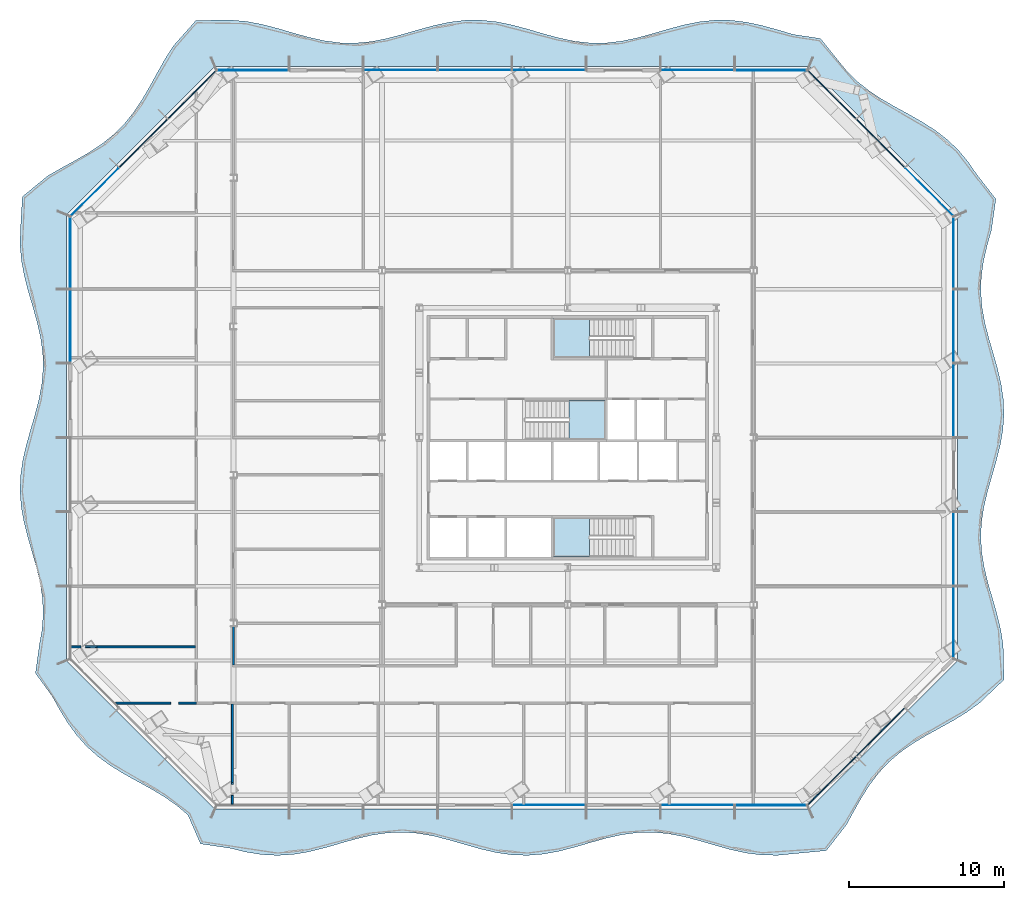
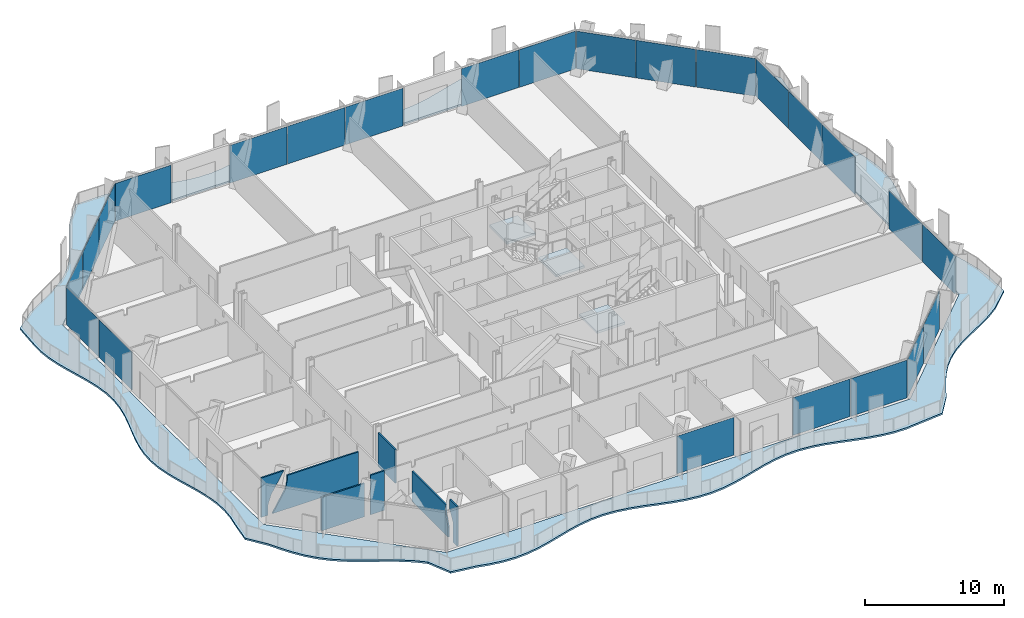
# One storey, part 5 of 20: 24 plates, 7 walls, 4 slabs, 10 elements without a shape of their own.
"""IFC4 building model written with IfcOpenShell, lengths in metres."""

from ifc_helpers import new_model, si_unit, direction, frame, frame_2d, origin, origin_2d, place, context, subcontext, project, spatial, polyline, rectangle, outline, extrude, material, layer, layer_set, type_object, element, aggregate, save


model = new_model("IFC4")

# Units and contexts
model_context = context("Model", 3, precision=1e-05, world=origin(), true_north=direction((0.0, 1.0)))
body_context = subcontext(model_context, "Body", "Model", "MODEL_VIEW")
ifc_project = project(units=[si_unit("LENGTHUNIT", "METRE"), si_unit("AREAUNIT", "SQUARE_METRE"), si_unit("VOLUMEUNIT", "CUBIC_METRE"), si_unit("PLANEANGLEUNIT", "RADIAN"), si_unit("MASSUNIT", "GRAM", prefix="KILO")], contexts=[model_context])

# Site, building, storey
site_placement = place(None, origin())
site = spatial("IfcSite", under=ifc_project, at=site_placement, CompositionType="ELEMENT")
building_placement = place(site_placement, origin())
building = spatial("IfcBuilding", under=site, at=building_placement, Name="Cairn Pilgrim Tower", CompositionType="ELEMENT")
storey_placement = place(building_placement, frame((0.0, 0.0, 101.39990234375)))
storey = spatial("IfcBuildingStorey", under=building, at=storey_placement, Name="L24", CompositionType="ELEMENT", Elevation=101.39990234375)

# Slab
ifc_material_1 = material(Name="Concrete C35/45", Category="concrete")
ifc_layer_1 = layer(ifc_material_1, 0.14990234375)
ifc_layer_set_1 = layer_set([ifc_layer_1], Name="BALCONY SLAB 150 CONCRETE C35/45")
slab_type_1 = type_object("IfcSlabType", Name="BALCONY SLAB 150 CONCRETE C35/45", PredefinedType="FLOOR", material=ifc_layer_set_1)
slab_1_placement = place(storey_placement, frame((0.0, 0.0, -0.14990234375)))
element("IfcSlab", 1, at=slab_1_placement, inside=storey, type_object=slab_type_1, Name="Balcony slab BS-1", PredefinedType="FLOOR", context=body_context, shape_type="SweptSolid", body=[
    extrude(outline(polyline([(-17.34912109375, -21.977783203125), (-16.531982421875, -23.85009765625), (-14.58935546875, -24.139892578125), (-13.578857421875, -24.384765625), (-12.568359375, -24.54638671875), (-11.557861328125, -24.599853515625), (-10.54736328125, -24.536865234375), (-9.536865234375, -24.366943359375), (-8.5263671875, -24.116943359375), (-7.515869140625, -23.8251953125), (-6.50537109375, -23.537353515625), (-5.49462890625, -23.298095703125), (-4.484130859375, -23.144775390625), (-3.4736328125, -23.100830078125), (-2.463134765625, -23.173583984375), (-1.45263671875, -23.351318359375), (-0.442138671875, -23.6064453125), (0.568359375, -23.899658203125), (1.578857421875, -24.18505859375), (2.58935546875, -24.418212890625), (3.60009765625, -24.563232421875), (4.610595703125, -24.597412109375), (5.62109375, -24.515380859375), (6.631591796875, -24.330078125), (7.64208984375, -24.06982421875), (8.652587890625, -23.775634765625), (9.6630859375, -23.492919921875), (10.673583984375, -23.265869140625), (11.684326171875, -23.12939453125), (12.69482421875, -23.10498046875), (13.705322265625, -23.1962890625), (14.7158203125, -23.389404296875), (15.726318359375, -23.65380859375), (16.73681640625, -23.948974609375), (17.747314453125, -24.228515625), (18.7578125, -24.449462890625), (19.768310546875, -24.5771484375), (20.779052734375, -24.591796875), (21.78955078125, -24.4912109375), (23.91455078125, -24.290771484375), (25.20654296875, -22.63525390625), (25.69189453125, -21.7490234375), (26.187255859375, -20.873046875), (26.72021484375, -20.034423828125), (27.312255859375, -19.2548828125), (27.976806640625, -18.54833984375), (28.71728515625, -17.917236328125), (29.525634765625, -17.354248046875), (30.38427734375, -16.841552734375), (31.268310546875, -16.354248046875), (32.149658203125, -15.864013671875), (33.0, -15.3427734375), (33.795654296875, -14.76708984375), (35.39990234375, -13.24267578125), (35.34619140625, -11.0068359375), (35.18798828125, -10.013671875), (34.948974609375, -9.020751953125), (34.6650390625, -8.027587890625), (34.37890625, -7.034423828125), (34.13330078125, -6.041259765625), (33.965576171875, -5.04833984375), (33.900390625, -4.05517578125), (33.94775390625, -3.06201171875), (34.100830078125, -2.06884765625), (34.336181640625, -1.075927734375), (34.61865234375, -0.082763671875), (34.906005859375, 0.910400390625), (35.15478515625, 1.903564453125), (35.32763671875, 2.896484375), (35.39892578125, 3.8896484375), (35.357666015625, 4.8828125), (35.210205078125, 5.8759765625), (34.978515625, 6.868896484375), (34.697509765625, 7.862060546875), (34.409423828125, 8.855224609375), (34.157470703125, 9.848388671875), (33.9794921875, 10.84130859375), (33.902099609375, 11.83447265625), (33.93701171875, 12.82763671875), (34.0791015625, 13.82080078125), (34.306884765625, 14.813720703125), (34.586181640625, 15.806884765625), (34.875244140625, 17.8251953125), (33.64111328125, 19.41259765625), (33.083984375, 20.226806640625), (32.460205078125, 20.974365234375), (31.760986328125, 21.646728515625), (30.98828125, 22.24560546875), (30.15478515625, 22.783203125), (29.28125, 23.28125), (28.394775390625, 23.76611328125), (27.524169921875, 24.26708984375), (26.696044921875, 24.810302734375), (25.930419921875, 25.416015625), (25.239013671875, 26.09619140625), (24.622802734375, 26.851318359375), (23.544677734375, 28.197998046875), (21.78955078125, 28.46435546875), (20.779052734375, 28.759765625), (19.768310546875, 29.0380859375), (18.7578125, 29.255859375), (17.747314453125, 29.379638671875), (16.73681640625, 29.389892578125), (15.726318359375, 29.285400390625), (14.7158203125, 29.08203125), (13.705322265625, 28.8115234375), (12.69482421875, 28.515869140625), (11.684326171875, 28.240966796875), (10.673583984375, 28.02978515625), (9.6630859375, 27.9150390625), (8.652587890625, 27.914306640625), (7.64208984375, 28.028076171875), (6.631591796875, 28.238525390625), (5.62109375, 28.512939453125), (4.610595703125, 28.80859375), (3.60009765625, 29.07958984375), (2.58935546875, 29.28369140625), (1.578857421875, 29.3896484375), (0.568359375, 29.38037109375), (-0.442138671875, 29.257568359375), (-1.45263671875, 29.04052734375), (-2.463134765625, 28.7626953125), (-3.4736328125, 28.46728515625), (-4.484130859375, 28.200439453125), (-5.49462890625, 28.00341796875), (-6.50537109375, 27.90673828125), (-7.515869140625, 27.92578125), (-8.5263671875, 28.05712890625), (-9.536865234375, 28.281005859375), (-10.54736328125, 28.56201171875), (-11.557861328125, 28.856689453125), (-12.568359375, 29.119140625), (-13.578857421875, 29.308837890625), (-14.58935546875, 29.396240234375), (-16.8291015625, 29.367431640625), (-18.290283203125, 27.71875), (-18.822998046875, 26.880126953125), (-19.318359375, 26.00390625), (-19.8037109375, 25.117919921875), (-20.3076171875, 24.25048828125), (-20.856201171875, 23.427734375), (-21.46923828125, 22.669189453125), (-22.156982421875, 21.985595703125), (-22.919189453125, 21.37646484375), (-23.744873046875, 20.83056640625), (-24.614013671875, 20.328369140625), (-25.50048828125, 19.84326171875), (-26.375244140625, 19.3466796875), (-28.044189453125, 17.97802734375), (-28.173583984375, 15.806884765625), (-28.1943359375, 14.813720703125), (-28.10302734375, 13.82080078125), (-27.913818359375, 12.82763671875), (-27.655029296875, 11.83447265625), (-27.365478515625, 10.84130859375), (-27.08837890625, 9.848388671875), (-26.86572265625, 8.855224609375), (-26.730712890625, 7.862060546875), (-26.703857421875, 6.868896484375), (-26.7890625, 5.8759765625), (-26.973388671875, 4.8828125), (-27.2294921875, 3.8896484375), (-27.5185546875, 2.896484375), (-27.79736328125, 1.903564453125), (-28.02392578125, 0.910400390625), (-28.164306640625, -0.082763671875), (-28.197509765625, -1.075927734375), (-28.118408203125, -2.06884765625), (-27.93896484375, -3.06201171875), (-27.68603515625, -4.05517578125), (-27.397705078125, -5.04833984375), (-27.1171875, -6.041259765625), (-26.88671875, -7.034423828125), (-26.74072265625, -8.027587890625), (-26.701416015625, -9.020751953125), (-26.7744140625, -10.013671875), (-26.94873046875, -11.0068359375), (-27.198486328125, -12.827880859375), (-26.1259765625, -14.29736328125), (-25.6357421875, -15.178466796875), (-25.114501953125, -16.02880859375), (-24.538818359375, -16.824462890625), (-23.892822265625, -17.5498046875), (-23.170654296875, -18.19921875), (-22.3779296875, -18.77783203125), (-21.52978515625, -19.301025390625), (-20.6494140625, -19.792236328125), (-19.7646484375, -20.279052734375), (-18.904296875, -20.7900390625), (-18.093017578125, -21.350341796875), (-17.34912109375, -21.977783203125)]), holes=[polyline([(22.800048828125, -21.60009765625), (-15.60009765625, -21.60009765625), (-25.199951171875, -12.0), (-25.199951171875, 16.800048828125), (-15.60009765625, 26.39990234375), (22.800048828125, 26.39990234375), (32.39990234375, 16.800048828125), (32.39990234375, -12.0), (22.800048828125, -21.60009765625)])]), origin(), (0.0, 0.0, 1.0), 0.14990234375),
])

# Curtain wall, plate
ifc_material_2 = material(Name="Aluminium alloy 6063-T6 bronze anodised with Bronze tinted laminated low-E glass 8+16+8.8", Category="aluminium")
curtain_wall_type_1 = type_object("IfcCurtainWallType", Name="CHAMFER CORNER CURTAIN WALL", PredefinedType="NOTDEFINED", material=ifc_material_2)
curtain_wall_1_placement = place(storey_placement, origin())
curtain_wall_1 = element("IfcCurtainWall", 2, at=curtain_wall_1_placement, inside=storey, type_object=curtain_wall_type_1, Name="Chamfer Corner Curtain Wall SE", PredefinedType="NOTDEFINED")
ifc_material_3 = material(Name="Bronze anodised aluminium spandrel panel with mineral wool insulation", Category="aluminium")
ifc_layer_2 = layer(ifc_material_3, 0.06005859375)
ifc_layer_set_2 = layer_set([ifc_layer_2], Name="SPANDREL PANEL 4386x3300")
plate_type_1 = type_object("IfcPlateType", Name="SPANDREL PANEL 4386x3300", PredefinedType="CURTAIN_PANEL", material=ifc_layer_set_2)
plate_1_placement = place(storey_placement, frame((24.275634765625, -19.770751953125, 0.0), z_axis=(0.0, 0.0, 1.0), x_axis=(0.707106781187, 0.707106781187, 0.0)))
plate_1 = element("IfcPlate", 3, at=plate_1_placement, type_object=plate_type_1, Name="Spandrel Panel SE1-1", PredefinedType="CURTAIN_PANEL", context=body_context, shape_type="SweptSolid", body=[
    extrude(rectangle(XDim=4.386474609375, YDim=0.06005859375, at=origin_2d()), origin(), (0.0, 0.0, 1.0), 3.300048828125),
])

curtain_wall_2_placement = place(storey_placement, origin())
curtain_wall_2 = element("IfcCurtainWall", 4, at=curtain_wall_2_placement, inside=storey, type_object=curtain_wall_type_1, Name="Chamfer Corner Curtain Wall NE", PredefinedType="NOTDEFINED")
plate_2_placement = place(storey_placement, frame((24.275634765625, 24.57080078125, 0.0), z_axis=(0.0, 0.0, 1.0), x_axis=(-0.707106781187, 0.707106781187, 0.0)))
plate_2 = element("IfcPlate", 5, at=plate_2_placement, type_object=plate_type_1, Name="Spandrel Panel NE3-1", PredefinedType="CURTAIN_PANEL", context=body_context, shape_type="SweptSolid", body=[
    extrude(rectangle(XDim=4.386474609375, YDim=0.06005859375, at=origin_2d()), origin(), (0.0, 0.0, 1.0), 3.300048828125),
])

curtain_wall_3_placement = place(storey_placement, origin())
curtain_wall_3 = element("IfcCurtainWall", 6, at=curtain_wall_3_placement, inside=storey, type_object=curtain_wall_type_1, Name="Chamfer Corner Curtain Wall NW", PredefinedType="NOTDEFINED")
plate_3_placement = place(storey_placement, frame((-17.07568359375, 24.57080078125, 0.0), z_axis=(0.0, 0.0, 1.0), x_axis=(-0.707106781187, -0.707106781187, 0.0)))
plate_3 = element("IfcPlate", 7, at=plate_3_placement, type_object=plate_type_1, Name="Spandrel Panel NW1-1", PredefinedType="CURTAIN_PANEL", context=body_context, shape_type="SweptSolid", body=[
    extrude(rectangle(XDim=4.386474609375, YDim=0.06005859375, at=origin_2d()), origin(), (0.0, 0.0, 1.0), 3.300048828125),
])

# Plate
ifc_layer_3 = layer(ifc_material_3, 0.06005859375)
ifc_layer_set_3 = layer_set([ifc_layer_3], Name="SPANDREL PANEL 4396x3300")
plate_type_2 = type_object("IfcPlateType", Name="SPANDREL PANEL 4396x3300", PredefinedType="CURTAIN_PANEL", material=ifc_layer_set_3)
plate_4_placement = place(storey_placement, frame((27.42333984375, -16.623291015625, 0.0), z_axis=(0.0, 0.0, 1.0), x_axis=(0.707106781187, 0.707106781187, 0.0)))
plate_4 = element("IfcPlate", 8, at=plate_4_placement, type_object=plate_type_2, Name="Spandrel Panel SE2-1", PredefinedType="CURTAIN_PANEL", context=body_context, shape_type="SweptSolid", body=[
    extrude(rectangle(XDim=4.396484375, YDim=0.06005859375, at=origin_2d()), origin(), (0.0, 0.0, 1.0), 3.300048828125),
])

aggregate(curtain_wall_1, [plate_1, plate_4])

plate_5_placement = place(storey_placement, frame((27.42333984375, 21.42333984375, 0.0), z_axis=(0.0, 0.0, 1.0), x_axis=(-0.707106781187, 0.707106781187, 0.0)))
plate_5 = element("IfcPlate", 9, at=plate_5_placement, type_object=plate_type_2, Name="Spandrel Panel NE2-1", PredefinedType="CURTAIN_PANEL", context=body_context, shape_type="SweptSolid", body=[
    extrude(rectangle(XDim=4.396484375, YDim=0.06005859375, at=origin_2d()), origin(), (0.0, 0.0, 1.0), 3.300048828125),
])

plate_6_placement = place(storey_placement, frame((-20.22314453125, 21.42333984375, 0.0), z_axis=(0.0, 0.0, 1.0), x_axis=(-0.707106781187, -0.707106781187, 0.0)))
plate_6 = element("IfcPlate", 10, at=plate_6_placement, type_object=plate_type_2, Name="Spandrel Panel NW2-1", PredefinedType="CURTAIN_PANEL", context=body_context, shape_type="SweptSolid", body=[
    extrude(rectangle(XDim=4.396484375, YDim=0.06005859375, at=origin_2d()), origin(), (0.0, 0.0, 1.0), 3.300048828125),
])

# Curtain wall, plate
curtain_wall_type_2 = type_object("IfcCurtainWallType", Name="TOWER STICK CURTAIN WALL NS", PredefinedType="NOTDEFINED", material=ifc_material_2)
curtain_wall_4_placement = place(storey_placement, origin())
curtain_wall_4 = element("IfcCurtainWall", 11, at=curtain_wall_4_placement, inside=storey, type_object=curtain_wall_type_2, Name="Tower Stick Curtain Wall Ns S", PredefinedType="NOTDEFINED")
ifc_layer_4 = layer(ifc_material_3, 0.06005859375)
ifc_layer_set_4 = layer_set([ifc_layer_4], Name="SPANDREL PANEL 4626x3300")
plate_type_3 = type_object("IfcPlateType", Name="SPANDREL PANEL 4626x3300", PredefinedType="CURTAIN_PANEL", material=ifc_layer_set_4)
plate_7_placement = place(storey_placement, frame((20.34326171875, -21.35009765625, 0.0), z_axis=(0.0, 0.0, 1.0), x_axis=(1.0, 0.0, 0.0)))
plate_7 = element("IfcPlate", 12, at=plate_7_placement, type_object=plate_type_3, Name="Spandrel Panel S8-1", PredefinedType="CURTAIN_PANEL", context=body_context, shape_type="SweptSolid", body=[
    extrude(rectangle(XDim=4.62646484375, YDim=0.06005859375, at=origin_2d()), origin(), (0.0, 0.0, 1.0), 3.300048828125),
])

# Curtain wall, plates
curtain_wall_5_placement = place(storey_placement, origin())
curtain_wall_5 = element("IfcCurtainWall", 13, at=curtain_wall_5_placement, inside=storey, type_object=curtain_wall_type_2, Name="Tower Stick Curtain Wall Ns N", PredefinedType="NOTDEFINED")
plate_8_placement = place(storey_placement, frame((20.34326171875, 26.14990234375, 0.0), z_axis=(0.0, 0.0, 1.0), x_axis=(-1.0, 0.0, 0.0)))
plate_8 = element("IfcPlate", 14, at=plate_8_placement, type_object=plate_type_3, Name="Spandrel Panel N1-1", PredefinedType="CURTAIN_PANEL", context=body_context, shape_type="SweptSolid", body=[
    extrude(rectangle(XDim=4.62646484375, YDim=0.06005859375, at=origin_2d()), origin(), (0.0, 0.0, 1.0), 3.300048828125),
])
plate_9_placement = place(storey_placement, frame((-13.143310546875, 26.14990234375, 0.0), z_axis=(0.0, 0.0, 1.0), x_axis=(-1.0, 0.0, 0.0)))
plate_9 = element("IfcPlate", 15, at=plate_9_placement, type_object=plate_type_3, Name="Spandrel Panel N8-1", PredefinedType="CURTAIN_PANEL", context=body_context, shape_type="SweptSolid", body=[
    extrude(rectangle(XDim=4.62646484375, YDim=0.06005859375, at=origin_2d()), origin(), (0.0, 0.0, 1.0), 3.300048828125),
])

# Stair, slab
ifc_material_4 = material(Name="Concrete C32/40", Category="concrete")
stair_type = type_object("IfcStairType", Name="EXIT STAIR 1200", PredefinedType="HALF_TURN_STAIR", material=ifc_material_4)
stair_1_placement = place(storey_placement, origin())
stair_1 = element("IfcStair", 16, at=stair_1_placement, inside=storey, type_object=stair_type, Name="L24 Exit Stair A", PredefinedType="HALF_TURN_STAIR")
ifc_layer_5 = layer(ifc_material_4, 0.199951171875)
ifc_layer_set_5 = layer_set([ifc_layer_5], Name="STAIR LANDING 200")
slab_type_2 = type_object("IfcSlabType", Name="STAIR LANDING 200", PredefinedType="LANDING", material=ifc_layer_set_5)
slab_2_placement = place(storey_placement, frame((0.0, 0.0, 1.60009765625)))
slab_2 = element("IfcSlab", 17, at=slab_2_placement, type_object=slab_type_2, Name="ST-A landing 1", PredefinedType="LANDING", context=body_context, shape_type="SweptSolid", body=[
    extrude(outline(polyline([(8.625, -2.77490234375), (6.27490234375, -2.77490234375), (6.27490234375, -5.300048828125), (8.625, -5.300048828125), (8.625, -2.77490234375)])), origin(), (0.0, 0.0, 1.0), 0.199951171875),
])
aggregate(stair_1, [slab_2])

stair_2_placement = place(storey_placement, origin())
stair_2 = element("IfcStair", 18, at=stair_2_placement, inside=storey, type_object=stair_type, Name="L24 Exit Stair B", PredefinedType="HALF_TURN_STAIR")
slab_3_placement = place(storey_placement, frame((0.0, 0.0, 1.60009765625)))
slab_3 = element("IfcSlab", 19, at=slab_3_placement, type_object=slab_type_2, Name="ST-B landing 1", PredefinedType="LANDING", context=body_context, shape_type="SweptSolid", body=[
    extrude(outline(polyline([(7.27490234375, 2.27490234375), (9.625, 2.27490234375), (9.625, 4.824951171875), (7.27490234375, 4.824951171875), (7.27490234375, 2.27490234375)])), origin(), (0.0, 0.0, 1.0), 0.199951171875),
])
aggregate(stair_2, [slab_3])

stair_3_placement = place(storey_placement, origin())
stair_3 = element("IfcStair", 20, at=stair_3_placement, inside=storey, type_object=stair_type, Name="L24 Exit Stair C", PredefinedType="HALF_TURN_STAIR")
slab_4_placement = place(storey_placement, frame((0.0, 0.0, 1.60009765625)))
slab_4 = element("IfcSlab", 21, at=slab_4_placement, type_object=slab_type_2, Name="ST-C landing 1", PredefinedType="LANDING", context=body_context, shape_type="SweptSolid", body=[
    extrude(outline(polyline([(8.625, 10.10009765625), (6.27490234375, 10.10009765625), (6.27490234375, 7.574951171875), (8.625, 7.574951171875), (8.625, 10.10009765625)])), origin(), (0.0, 0.0, 1.0), 0.199951171875),
])
aggregate(stair_3, [slab_4])

# Plate
ifc_material_5 = material(Name="Bronze tinted laminated low-E glass 8+16+8.8", Category="glass")
ifc_layer_6 = layer(ifc_material_5, 0.033935546875)
ifc_layer_set_6 = layer_set([ifc_layer_6], Name="VISION GLAZING 4386x3300")
plate_type_4 = type_object("IfcPlateType", Name="VISION GLAZING 4386x3300", PredefinedType="CURTAIN_PANEL", material=ifc_layer_set_6)
plate_10_placement = place(storey_placement, frame((30.57080078125, 18.275634765625, 0.0), z_axis=(0.0, 0.0, 1.0), x_axis=(-0.707106781187, 0.707106781187, 0.0)))
plate_10 = element("IfcPlate", 22, at=plate_10_placement, type_object=plate_type_4, Name="Vision Glazing NE1-1", PredefinedType="CURTAIN_PANEL", context=body_context, shape_type="SweptSolid", body=[
    extrude(rectangle(XDim=4.386474609375, YDim=0.033935546875, at=origin_2d()), origin(), (0.0, 0.0, 1.0), 3.300048828125),
])

aggregate(curtain_wall_2, [plate_10, plate_5, plate_2])

plate_11_placement = place(storey_placement, frame((-23.370849609375, 18.275634765625, 0.0), z_axis=(0.0, 0.0, 1.0), x_axis=(-0.707106781187, -0.707106781187, 0.0)))
plate_11 = element("IfcPlate", 23, at=plate_11_placement, type_object=plate_type_4, Name="Vision Glazing NW3-1", PredefinedType="CURTAIN_PANEL", context=body_context, shape_type="SweptSolid", body=[
    extrude(rectangle(XDim=4.386474609375, YDim=0.033935546875, at=origin_2d()), origin(), (0.0, 0.0, 1.0), 3.300048828125),
])

aggregate(curtain_wall_3, [plate_3, plate_6, plate_11])

# Curtain wall, plates
curtain_wall_type_3 = type_object("IfcCurtainWallType", Name="TOWER STICK CURTAIN WALL EW", PredefinedType="NOTDEFINED", material=ifc_material_2)
curtain_wall_6_placement = place(storey_placement, origin())
curtain_wall_6 = element("IfcCurtainWall", 24, at=curtain_wall_6_placement, inside=storey, type_object=curtain_wall_type_3, Name="Tower Stick Curtain Wall Ew E", PredefinedType="NOTDEFINED")
ifc_layer_7 = layer(ifc_material_5, 0.033935546875)
ifc_layer_set_7 = layer_set([ifc_layer_7], Name="VISION GLAZING 4626x3300")
plate_type_5 = type_object("IfcPlateType", Name="VISION GLAZING 4626x3300", PredefinedType="CURTAIN_PANEL", material=ifc_layer_set_7)
plate_12_placement = place(storey_placement, frame((32.14990234375, -9.543212890625, 0.0), z_axis=(0.0, 0.0, 1.0), x_axis=(0.0, 1.0, 0.0)))
plate_12 = element("IfcPlate", 25, at=plate_12_placement, type_object=plate_type_5, Name="Vision Glazing E1-1", PredefinedType="CURTAIN_PANEL", context=body_context, shape_type="SweptSolid", body=[
    extrude(rectangle(XDim=4.62646484375, YDim=0.033935546875, at=origin_2d()), origin(), (0.0, 0.0, 1.0), 3.300048828125),
])
plate_13_placement = place(storey_placement, frame((32.14990234375, 14.34326171875, 0.0), z_axis=(0.0, 0.0, 1.0), x_axis=(0.0, 1.0, 0.0)))
plate_13 = element("IfcPlate", 26, at=plate_13_placement, type_object=plate_type_5, Name="Vision Glazing E6-1", PredefinedType="CURTAIN_PANEL", context=body_context, shape_type="SweptSolid", body=[
    extrude(rectangle(XDim=4.62646484375, YDim=0.033935546875, at=origin_2d()), origin(), (0.0, 0.0, 1.0), 3.300048828125),
])

# Curtain wall, plate
curtain_wall_7_placement = place(storey_placement, origin())
curtain_wall_7 = element("IfcCurtainWall", 27, at=curtain_wall_7_placement, inside=storey, type_object=curtain_wall_type_3, Name="Tower Stick Curtain Wall Ew W", PredefinedType="NOTDEFINED")
plate_14_placement = place(storey_placement, frame((-24.949951171875, 14.34326171875, 0.0), z_axis=(0.0, 0.0, 1.0), x_axis=(0.0, -1.0, 0.0)))
plate_14 = element("IfcPlate", 28, at=plate_14_placement, type_object=plate_type_5, Name="Vision Glazing W1-1", PredefinedType="CURTAIN_PANEL", context=body_context, shape_type="SweptSolid", body=[
    extrude(rectangle(XDim=4.62646484375, YDim=0.033935546875, at=origin_2d()), origin(), (0.0, 0.0, 1.0), 3.300048828125),
])

# Plate
ifc_layer_8 = layer(ifc_material_5, 0.033935546875)
ifc_layer_set_8 = layer_set([ifc_layer_8], Name="VISION GLAZING 4740x3300")
plate_type_6 = type_object("IfcPlateType", Name="VISION GLAZING 4740x3300", PredefinedType="CURTAIN_PANEL", material=ifc_layer_set_8)
plate_15_placement = place(storey_placement, frame((6.0, -21.35009765625, 0.0), z_axis=(0.0, 0.0, 1.0), x_axis=(1.0, 0.0, 0.0)))
plate_15 = element("IfcPlate", 29, at=plate_15_placement, type_object=plate_type_6, Name="Vision Glazing S5-1", PredefinedType="CURTAIN_PANEL", context=body_context, shape_type="SweptSolid", body=[
    extrude(rectangle(XDim=4.739990234375, YDim=0.033935546875, at=origin_2d()), origin(), (0.0, 0.0, 1.0), 3.300048828125),
])

plate_16_placement = place(storey_placement, frame((15.60009765625, -21.35009765625, 0.0), z_axis=(0.0, 0.0, 1.0), x_axis=(1.0, 0.0, 0.0)))
plate_16 = element("IfcPlate", 30, at=plate_16_placement, type_object=plate_type_6, Name="Vision Glazing S7-1", PredefinedType="CURTAIN_PANEL", context=body_context, shape_type="SweptSolid", body=[
    extrude(rectangle(XDim=4.739990234375, YDim=0.033935546875, at=origin_2d()), origin(), (0.0, 0.0, 1.0), 3.300048828125),
])

aggregate(curtain_wall_4, [plate_15, plate_16, plate_7])

plate_17_placement = place(storey_placement, frame((32.14990234375, -4.800048828125, 0.0), z_axis=(0.0, 0.0, 1.0), x_axis=(0.0, 1.0, 0.0)))
plate_17 = element("IfcPlate", 31, at=plate_17_placement, type_object=plate_type_6, Name="Vision Glazing E2-1", PredefinedType="CURTAIN_PANEL", context=body_context, shape_type="SweptSolid", body=[
    extrude(rectangle(XDim=4.739990234375, YDim=0.033935546875, at=origin_2d()), origin(), (0.0, 0.0, 1.0), 3.300048828125),
])

plate_18_placement = place(storey_placement, frame((32.14990234375, 4.800048828125, 0.0), z_axis=(0.0, 0.0, 1.0), x_axis=(0.0, 1.0, 0.0)))
plate_18 = element("IfcPlate", 32, at=plate_18_placement, type_object=plate_type_6, Name="Vision Glazing E4-1", PredefinedType="CURTAIN_PANEL", context=body_context, shape_type="SweptSolid", body=[
    extrude(rectangle(XDim=4.739990234375, YDim=0.033935546875, at=origin_2d()), origin(), (0.0, 0.0, 1.0), 3.300048828125),
])

plate_19_placement = place(storey_placement, frame((32.14990234375, 9.60009765625, 0.0), z_axis=(0.0, 0.0, 1.0), x_axis=(0.0, 1.0, 0.0)))
plate_19 = element("IfcPlate", 33, at=plate_19_placement, type_object=plate_type_6, Name="Vision Glazing E5-1", PredefinedType="CURTAIN_PANEL", context=body_context, shape_type="SweptSolid", body=[
    extrude(rectangle(XDim=4.739990234375, YDim=0.033935546875, at=origin_2d()), origin(), (0.0, 0.0, 1.0), 3.300048828125),
])

aggregate(curtain_wall_6, [plate_12, plate_17, plate_18, plate_19, plate_13])

plate_20_placement = place(storey_placement, frame((15.60009765625, 26.14990234375, 0.0), z_axis=(0.0, 0.0, 1.0), x_axis=(-1.0, 0.0, 0.0)))
plate_20 = element("IfcPlate", 34, at=plate_20_placement, type_object=plate_type_6, Name="Vision Glazing N2-1", PredefinedType="CURTAIN_PANEL", context=body_context, shape_type="SweptSolid", body=[
    extrude(rectangle(XDim=4.739990234375, YDim=0.033935546875, at=origin_2d()), origin(), (0.0, 0.0, 1.0), 3.300048828125),
])

plate_21_placement = place(storey_placement, frame((6.0, 26.14990234375, 0.0), z_axis=(0.0, 0.0, 1.0), x_axis=(-1.0, 0.0, 0.0)))
plate_21 = element("IfcPlate", 35, at=plate_21_placement, type_object=plate_type_6, Name="Vision Glazing N4-1", PredefinedType="CURTAIN_PANEL", context=body_context, shape_type="SweptSolid", body=[
    extrude(rectangle(XDim=4.739990234375, YDim=0.033935546875, at=origin_2d()), origin(), (0.0, 0.0, 1.0), 3.300048828125),
])

plate_22_placement = place(storey_placement, frame((1.199951171875, 26.14990234375, 0.0), z_axis=(0.0, 0.0, 1.0), x_axis=(-1.0, 0.0, 0.0)))
plate_22 = element("IfcPlate", 36, at=plate_22_placement, type_object=plate_type_6, Name="Vision Glazing N5-1", PredefinedType="CURTAIN_PANEL", context=body_context, shape_type="SweptSolid", body=[
    extrude(rectangle(XDim=4.739990234375, YDim=0.033935546875, at=origin_2d()), origin(), (0.0, 0.0, 1.0), 3.300048828125),
])

plate_23_placement = place(storey_placement, frame((-3.60009765625, 26.14990234375, 0.0), z_axis=(0.0, 0.0, 1.0), x_axis=(-1.0, 0.0, 0.0)))
plate_23 = element("IfcPlate", 37, at=plate_23_placement, type_object=plate_type_6, Name="Vision Glazing N6-1", PredefinedType="CURTAIN_PANEL", context=body_context, shape_type="SweptSolid", body=[
    extrude(rectangle(XDim=4.739990234375, YDim=0.033935546875, at=origin_2d()), origin(), (0.0, 0.0, 1.0), 3.300048828125),
])

aggregate(curtain_wall_5, [plate_8, plate_20, plate_21, plate_22, plate_23, plate_9])

plate_24_placement = place(storey_placement, frame((-24.949951171875, 9.60009765625, 0.0), z_axis=(0.0, 0.0, 1.0), x_axis=(0.0, -1.0, 0.0)))
plate_24 = element("IfcPlate", 38, at=plate_24_placement, type_object=plate_type_6, Name="Vision Glazing W2-1", PredefinedType="CURTAIN_PANEL", context=body_context, shape_type="SweptSolid", body=[
    extrude(rectangle(XDim=4.739990234375, YDim=0.033935546875, at=origin_2d()), origin(), (0.0, 0.0, 1.0), 3.300048828125),
])

aggregate(curtain_wall_7, [plate_14, plate_24])

# Walls
ifc_material_6 = material(Name="Gypsum partition")
ifc_layer_9 = layer(ifc_material_6, 0.125)
ifc_layer_set_9 = layer_set([ifc_layer_9], Name="PARTITION 125 DRYWALL EI 60")
wall_type = type_object("IfcWallType", Name="PARTITION 125 DRYWALL EI 60", PredefinedType="PARTITIONING", material=ifc_layer_set_9)
wall_1_placement = place(storey_placement, frame((-14.470947265625, -21.2900390625, 0.0), z_axis=(0.0, 0.0, 1.0), x_axis=(0.0, 1.0, 0.0)))
element("IfcWall", 39, at=wall_1_placement, inside=storey, type_object=wall_type, Name="PARTITION W001", PredefinedType="PARTITIONING", context=body_context, shape_type="SweptSolid", body=[
    extrude(outline(polyline([(0.0, 0.0), (0.57177734375, 0.0), (0.57177734375, 0.862548828125), (0.57177734375, 1.72509765625), (1.046630859375, 2.587646484375), (1.046630859375, 3.4501953125), (0.0, 3.4501953125), (0.0, 2.587646484375), (0.0, 1.72509765625), (0.0, 0.862548828125), (0.0, 0.0)])), frame((0.0, 0.0625, 0.0), z_axis=(0.0, -1.0, 0.0), x_axis=(1.0, 0.0, 0.0)), (0.0, 0.0, 1.0), 0.125),
])
wall_2_placement = place(storey_placement, frame((-14.470947265625, -20.0107421875, 0.0), z_axis=(0.0, 0.0, 1.0), x_axis=(0.0, 1.0, 0.0)))
element("IfcWall", 40, at=wall_2_placement, inside=storey, type_object=wall_type, Name="PARTITION W009", PredefinedType="PARTITIONING", context=body_context, shape_type="SweptSolid", body=[
    extrude(outline(polyline([(0.0, 0.0), (5.1982421875, 0.0), (5.1982421875, 0.862548828125), (5.1982421875, 1.72509765625), (5.1982421875, 2.587646484375), (5.1982421875, 2.630126953125), (0.33740234375, 2.630126953125), (0.33740234375, 2.587646484375), (0.33740234375, 1.72509765625), (0.0, 0.862548828125), (0.0, 0.0)])), frame((0.0, 0.0625, 0.0), z_axis=(0.0, -1.0, 0.0), x_axis=(1.0, 0.0, 0.0)), (0.0, 0.0, 1.0), 0.125),
])
wall_3_placement = place(storey_placement, frame((-22.007080078125, -14.75, 0.0), z_axis=(0.0, 0.0, 1.0), x_axis=(1.0, 0.0, 0.0)))
element("IfcWall", 41, at=wall_3_placement, inside=storey, type_object=wall_type, Name="PARTITION W013", PredefinedType="PARTITIONING", context=body_context, shape_type="SweptSolid", body=[
    extrude(outline(polyline([(0.0, 0.0), (3.548828125, 0.0), (3.548828125, 0.862548828125), (3.548828125, 1.72509765625), (3.548828125, 2.587646484375), (3.548828125, 2.93017578125), (0.0, 2.93017578125), (0.0, 2.587646484375), (0.0, 1.72509765625), (0.0, 0.862548828125), (0.0, 0.0)])), frame((0.0, 0.0625, 0.0), z_axis=(0.0, -1.0, 0.0), x_axis=(1.0, 0.0, 0.0)), (0.0, 0.0, 1.0), 0.125),
])
wall_4_placement = place(storey_placement, frame((-17.9404296875, -14.75, 0.0), z_axis=(0.0, 0.0, 1.0), x_axis=(1.0, 0.0, 0.0)))
element("IfcWall", 42, at=wall_4_placement, inside=storey, type_object=wall_type, Name="PARTITION W014", PredefinedType="PARTITIONING", context=body_context, shape_type="SweptSolid", body=[
    extrude(outline(polyline([(0.0, 0.0), (1.140380859375, 0.0), (1.140380859375, 0.862548828125), (1.140380859375, 1.72509765625), (1.140380859375, 2.587646484375), (1.140380859375, 3.4501953125), (0.0, 3.4501953125), (0.0, 2.587646484375), (0.0, 1.72509765625), (0.0, 0.862548828125), (0.0, 0.0)])), frame((0.0, 0.0625, 0.0), z_axis=(0.0, -1.0, 0.0), x_axis=(1.0, 0.0, 0.0)), (0.0, 0.0, 1.0), 0.125),
])
wall_5_placement = place(storey_placement, frame((-14.39990234375, -12.28759765625, 0.0), z_axis=(0.0, 0.0, 1.0), x_axis=(0.0, 1.0, 0.0)))
element("IfcWall", 43, at=wall_5_placement, inside=storey, type_object=wall_type, Name="PARTITION W019", PredefinedType="PARTITIONING", context=body_context, shape_type="SweptSolid", body=[
    extrude(rectangle(XDim=2.47509765625, YDim=0.125, at=frame_2d((1.237548828125, 0.0))), origin(), (0.0, 0.0, 1.0), 2.93017578125),
])
wall_6_placement = place(storey_placement, frame((-24.903076171875, -11.123046875, 0.0), z_axis=(0.0, 0.0, 1.0), x_axis=(1.0, 0.0, 0.0)))
element("IfcWall", 44, at=wall_6_placement, inside=storey, type_object=wall_type, Name="PARTITION W028", PredefinedType="PARTITIONING", context=body_context, shape_type="SweptSolid", body=[
    extrude(outline(polyline([(0.0, 0.0), (0.54443359375, 0.0), (0.54443359375, 0.862548828125), (0.82470703125, 1.72509765625), (1.348388671875, 2.587646484375), (1.871826171875, 3.4501953125), (0.0, 3.4501953125), (0.0, 2.587646484375), (0.0, 1.72509765625), (0.0, 0.862548828125), (0.0, 0.0)])), frame((0.0, 0.0625, 0.0), z_axis=(0.0, -1.0, 0.0), x_axis=(1.0, 0.0, 0.0)), (0.0, 0.0, 1.0), 0.125),
])
wall_7_placement = place(storey_placement, frame((-23.96484375, -11.123046875, 0.0), z_axis=(0.0, 0.0, 1.0), x_axis=(1.0, 0.0, 0.0)))
element("IfcWall", 45, at=wall_7_placement, inside=storey, type_object=wall_type, Name="PARTITION W029", PredefinedType="PARTITIONING", context=body_context, shape_type="SweptSolid", body=[
    extrude(outline(polyline([(0.0, 0.0), (7.102294921875, 0.0), (7.102294921875, 0.862548828125), (7.102294921875, 1.72509765625), (7.102294921875, 2.587646484375), (7.102294921875, 2.93017578125), (1.236083984375, 2.93017578125), (1.236083984375, 2.587646484375), (1.047119140625, 1.72509765625), (0.523681640625, 0.862548828125), (0.0, 0.0)])), frame((0.0, 0.0625, 0.0), z_axis=(0.0, -1.0, 0.0), x_axis=(1.0, 0.0, 0.0)), (0.0, 0.0, 1.0), 0.125),
])

save(model, "model.ifc")
